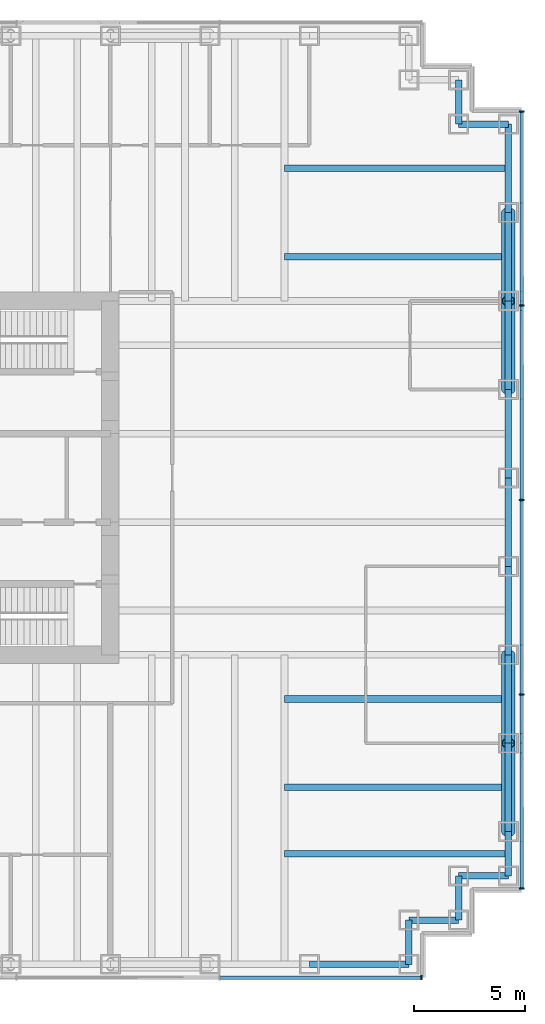
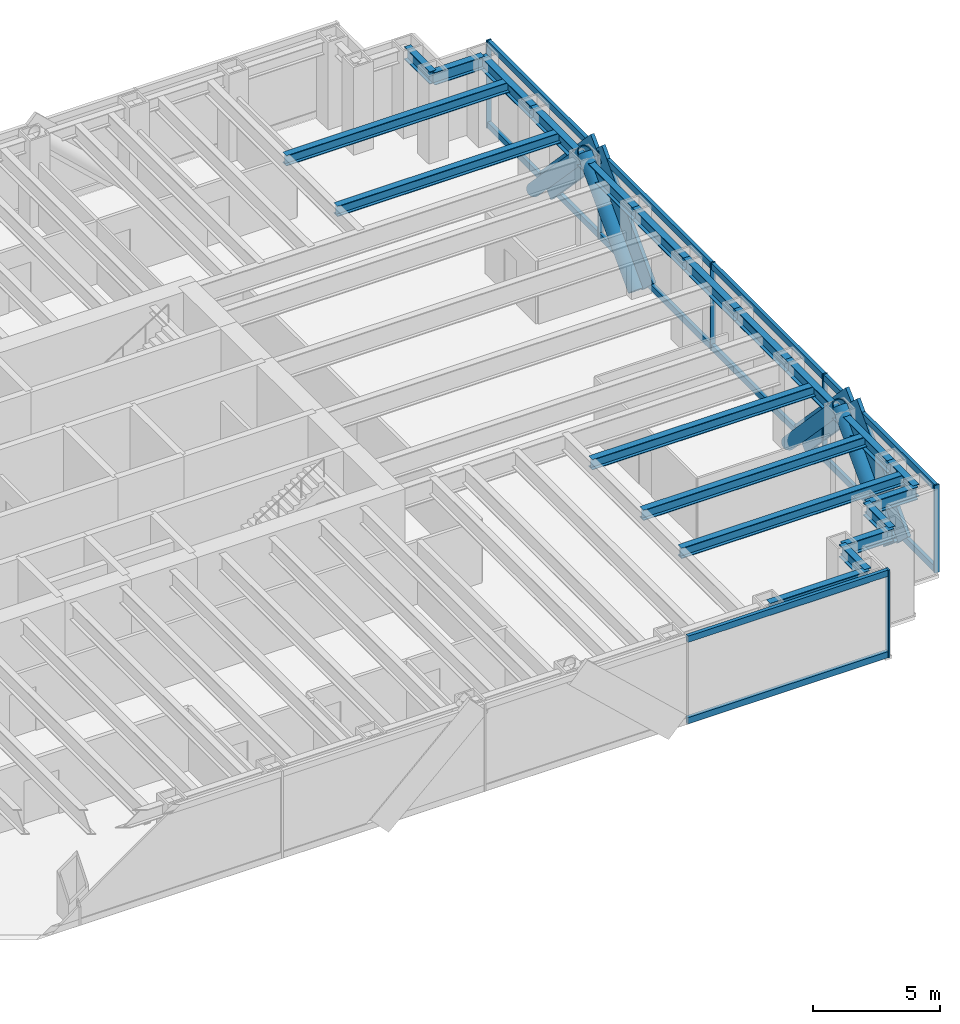
# One storey, part 7 of 17: 24 members, 21 beams, 2 elements without a shape of their own.
"""IFC4 building model written with IfcOpenShell, lengths in metres."""

from ifc_helpers import new_model, si_unit, direction, frame, origin, origin_2d, place, context, subcontext, project, spatial, rectangle, hollow_circle, i_section, extrude, material, material_profile, profile_set, type_object, element, aggregate, save


model = new_model("IFC4")

# Units and contexts
model_context = context("Model", 3, precision=1e-05, world=origin(), true_north=direction((0.0, 1.0)))
body_context = subcontext(model_context, "Body", "Model", "MODEL_VIEW")
ifc_project = project(units=[si_unit("LENGTHUNIT", "METRE"), si_unit("AREAUNIT", "SQUARE_METRE"), si_unit("VOLUMEUNIT", "CUBIC_METRE"), si_unit("PLANEANGLEUNIT", "RADIAN"), si_unit("MASSUNIT", "GRAM", prefix="KILO")], contexts=[model_context])

# Site, building, storey
site_placement = place(None, origin())
site = spatial("IfcSite", under=ifc_project, at=site_placement, CompositionType="ELEMENT")
building_placement = place(site_placement, origin())
building = spatial("IfcBuilding", under=site, at=building_placement, Name="Rheinbord Bourse Tower", CompositionType="ELEMENT")
storey_placement = place(building_placement, frame((0.0, 0.0, 223.60009765625)))
storey = spatial("IfcBuildingStorey", under=building, at=storey_placement, Name="L50", CompositionType="ELEMENT", Elevation=223.60009765625)

# Curtain wall, members
ifc_material_1 = material(Name="Dark glass and black aluminium", Category="aluminium")
curtain_wall_type = type_object("IfcCurtainWallType", Name="CW2 DARK GLASS CURTAIN WALL", PredefinedType="USERDEFINED", material=ifc_material_1)
curtain_wall_1_placement = place(storey_placement, origin())
curtain_wall_1 = element("IfcCurtainWall", 1, at=curtain_wall_1_placement, inside=storey, type_object=curtain_wall_type, Name="Curtain wall CW2 E L50", ObjectType="UNITISED CURTAIN WALL", PredefinedType="USERDEFINED")
ifc_material_2 = material(Name="Black anodised aluminium", Category="aluminium")
ifc_material_profile_1 = material_profile(ifc_material_2, rectangle(XDim=0.159912109375, YDim=1.2099609375, at=origin_2d()), Name="CW2 DIAGONAL MULLION 1210x160")
ifc_profile_set_1 = profile_set([ifc_material_profile_1], Name="Black anodised aluminium")
member_type_1 = type_object("IfcMemberType", Name="CW2 BLACK DIAGONAL MULLION", PredefinedType="USERDEFINED", material=ifc_profile_set_1)
member_1_placement = place(storey_placement, frame((72.60009765625, 16.0, 0.0), z_axis=(0.0, -0.689659376744, 0.724133926887), x_axis=(1.0, 0.0, 0.0)))
member_1 = element("IfcMember", 2, at=member_1_placement, type_object=member_type_1, Name="CW2 diagonal mullion a", ObjectType="DIAGONAL MULLION", PredefinedType="USERDEFINED", context=body_context, shape_type="SweptSolid", body=[
    extrude(rectangle(XDim=0.159912109375, YDim=1.2099609375, at=origin_2d()), origin(), (0.0, 0.0, 1.0), 5.800048828125),
])
member_2_placement = place(storey_placement, frame((72.60009765625, 28.0, 0.0), z_axis=(0.0, 0.689659376744, 0.724133926887), x_axis=(-1.0, 0.0, 0.0)))
member_2 = element("IfcMember", 3, at=member_2_placement, type_object=member_type_1, Name="CW2 diagonal mullion b", ObjectType="DIAGONAL MULLION", PredefinedType="USERDEFINED", context=body_context, shape_type="SweptSolid", body=[
    extrude(rectangle(XDim=0.159912109375, YDim=1.2099609375, at=origin_2d()), origin(), (0.0, 0.0, 1.0), 5.800048828125),
])
member_3_placement = place(storey_placement, frame((72.60009765625, 8.0, 0.0), z_axis=(0.0, 0.689659376744, 0.724133926887), x_axis=(-1.0, 0.0, 0.0)))
member_3 = element("IfcMember", 4, at=member_3_placement, type_object=member_type_1, Name="CW2 diagonal mullion c", ObjectType="DIAGONAL MULLION", PredefinedType="USERDEFINED", context=body_context, shape_type="SweptSolid", body=[
    extrude(rectangle(XDim=0.159912109375, YDim=1.2099609375, at=origin_2d()), origin(), (0.0, 0.0, 1.0), 5.800048828125),
])
member_4_placement = place(storey_placement, frame((72.60009765625, 36.0, 0.0), z_axis=(0.0, -0.689659376744, 0.724133926887), x_axis=(1.0, 0.0, 0.0)))
member_4 = element("IfcMember", 5, at=member_4_placement, type_object=member_type_1, Name="CW2 diagonal mullion d", ObjectType="DIAGONAL MULLION", PredefinedType="USERDEFINED", context=body_context, shape_type="SweptSolid", body=[
    extrude(rectangle(XDim=0.159912109375, YDim=1.2099609375, at=origin_2d()), origin(), (0.0, 0.0, 1.0), 5.800048828125),
])

# Curtain wall, member
curtain_wall_2_placement = place(storey_placement, origin())
curtain_wall_2 = element("IfcCurtainWall", 6, at=curtain_wall_2_placement, inside=storey, type_object=curtain_wall_type, Name="Curtain wall CW2 S L50", ObjectType="UNITISED CURTAIN WALL", PredefinedType="USERDEFINED")
ifc_material_3 = material(Name="Black anodised aluminium", Category="aluminium")
ifc_material_profile_2 = material_profile(ifc_material_3, rectangle(XDim=0.219970703125, YDim=0.070068359375, at=origin_2d()), Name="CW2 MULLION 70x220")
ifc_profile_set_2 = profile_set([ifc_material_profile_2], Name="Black anodised aluminium")
member_type_2 = type_object("IfcMemberType", Name="CW2 BLACK MULLION", PredefinedType="MULLION", material=ifc_profile_set_2)
member_5_placement = place(storey_placement, frame((68.06494140625, 1.39990234375, 0.0), z_axis=(0.0, 0.0, 1.0), x_axis=(0.0, 1.0, 0.0)))
member_5 = element("IfcMember", 7, at=member_5_placement, type_object=member_type_2, Name="CW2 mullion 8", PredefinedType="MULLION", context=body_context, shape_type="SweptSolid", body=[
    extrude(rectangle(XDim=0.219970703125, YDim=0.070068359375, at=origin_2d()), origin(), (0.0, 0.0, 1.0), 4.199951171875),
])

# Member
member_6_placement = place(storey_placement, frame((72.60009765625, 5.43505859375, 0.0), z_axis=(0.0, 0.0, 1.0), x_axis=(-1.0, 0.0, 0.0)))
member_6 = element("IfcMember", 8, at=member_6_placement, type_object=member_type_2, Name="CW2 mullion 1", PredefinedType="MULLION", context=body_context, shape_type="SweptSolid", body=[
    extrude(rectangle(XDim=0.219970703125, YDim=0.070068359375, at=origin_2d()), origin(), (0.0, 0.0, 1.0), 4.199951171875),
])

member_7_placement = place(storey_placement, frame((72.60009765625, 14.199951171875, 0.0), z_axis=(0.0, 0.0, 1.0), x_axis=(-1.0, 0.0, 0.0)))
member_7 = element("IfcMember", 9, at=member_7_placement, type_object=member_type_2, Name="CW2 mullion 2", PredefinedType="MULLION", context=body_context, shape_type="SweptSolid", body=[
    extrude(rectangle(XDim=0.219970703125, YDim=0.070068359375, at=origin_2d()), origin(), (0.0, 0.0, 1.0), 4.199951171875),
])

member_8_placement = place(storey_placement, frame((72.60009765625, 23.0, 0.0), z_axis=(0.0, 0.0, 1.0), x_axis=(-1.0, 0.0, 0.0)))
member_8 = element("IfcMember", 10, at=member_8_placement, type_object=member_type_2, Name="CW2 mullion 3", PredefinedType="MULLION", context=body_context, shape_type="SweptSolid", body=[
    extrude(rectangle(XDim=0.219970703125, YDim=0.070068359375, at=origin_2d()), origin(), (0.0, 0.0, 1.0), 4.199951171875),
])

member_9_placement = place(storey_placement, frame((72.60009765625, 31.800048828125, 0.0), z_axis=(0.0, 0.0, 1.0), x_axis=(-1.0, 0.0, 0.0)))
member_9 = element("IfcMember", 11, at=member_9_placement, type_object=member_type_2, Name="CW2 mullion 4", PredefinedType="MULLION", context=body_context, shape_type="SweptSolid", body=[
    extrude(rectangle(XDim=0.219970703125, YDim=0.070068359375, at=origin_2d()), origin(), (0.0, 0.0, 1.0), 4.199951171875),
])

member_10_placement = place(storey_placement, frame((72.60009765625, 40.56494140625, 0.0), z_axis=(0.0, 0.0, 1.0), x_axis=(-1.0, 0.0, 0.0)))
member_10 = element("IfcMember", 12, at=member_10_placement, type_object=member_type_2, Name="CW2 mullion 5", PredefinedType="MULLION", context=body_context, shape_type="SweptSolid", body=[
    extrude(rectangle(XDim=0.219970703125, YDim=0.070068359375, at=origin_2d()), origin(), (0.0, 0.0, 1.0), 4.199951171875),
])

ifc_material_4 = material(Name="Black anodised aluminium", Category="aluminium")
ifc_material_profile_3 = material_profile(ifc_material_4, rectangle(XDim=0.159912109375, YDim=0.300048828125, at=origin_2d()), Name="CW2 TRANSOM 300x160")
ifc_profile_set_3 = profile_set([ifc_material_profile_3], Name="Black anodised aluminium")
member_type_3 = type_object("IfcMemberType", Name="CW2 BLACK TRANSOM", PredefinedType="USERDEFINED", material=ifc_profile_set_3)
member_11_placement = place(storey_placement, frame((58.963623046875, 1.39990234375, 0.14990234375), z_axis=(1.0, 0.0, 0.0), x_axis=(0.0, 1.0, 0.0)))
member_11 = element("IfcMember", 13, at=member_11_placement, type_object=member_type_3, Name="CW2 transom 7.1", ObjectType="TRANSOM", PredefinedType="USERDEFINED", context=body_context, shape_type="SweptSolid", body=[
    extrude(rectangle(XDim=0.159912109375, YDim=0.300048828125, at=origin_2d()), origin(), (0.0, 0.0, 1.0), 9.06640625),
])

member_12_placement = place(storey_placement, frame((58.963623046875, 1.39990234375, 4.0498046875), z_axis=(1.0, 0.0, 0.0), x_axis=(0.0, 1.0, 0.0)))
member_12 = element("IfcMember", 14, at=member_12_placement, type_object=member_type_3, Name="CW2 transom 7.2", ObjectType="TRANSOM", PredefinedType="USERDEFINED", context=body_context, shape_type="SweptSolid", body=[
    extrude(rectangle(XDim=0.159912109375, YDim=0.300048828125, at=origin_2d()), origin(), (0.0, 0.0, 1.0), 9.06640625),
])

aggregate(curtain_wall_2, [member_5, member_11, member_12])

member_13_placement = place(storey_placement, frame((72.60009765625, 5.469970703125, 0.14990234375), z_axis=(0.0, 1.0, 0.0), x_axis=(-1.0, 0.0, 0.0)))
member_13 = element("IfcMember", 15, at=member_13_placement, type_object=member_type_3, Name="CW2 transom 1.1", ObjectType="TRANSOM", PredefinedType="USERDEFINED", context=body_context, shape_type="SweptSolid", body=[
    extrude(rectangle(XDim=0.159912109375, YDim=0.300048828125, at=origin_2d()), origin(), (0.0, 0.0, 1.0), 8.695068359375),
])

member_14_placement = place(storey_placement, frame((72.60009765625, 5.469970703125, 4.0498046875), z_axis=(0.0, 1.0, 0.0), x_axis=(-1.0, 0.0, 0.0)))
member_14 = element("IfcMember", 16, at=member_14_placement, type_object=member_type_3, Name="CW2 transom 1.2", ObjectType="TRANSOM", PredefinedType="USERDEFINED", context=body_context, shape_type="SweptSolid", body=[
    extrude(rectangle(XDim=0.159912109375, YDim=0.300048828125, at=origin_2d()), origin(), (0.0, 0.0, 1.0), 8.695068359375),
])

member_15_placement = place(storey_placement, frame((72.60009765625, 14.235107421875, 0.14990234375), z_axis=(0.0, 1.0, 0.0), x_axis=(-1.0, 0.0, 0.0)))
member_15 = element("IfcMember", 17, at=member_15_placement, type_object=member_type_3, Name="CW2 transom 2.1", ObjectType="TRANSOM", PredefinedType="USERDEFINED", context=body_context, shape_type="SweptSolid", body=[
    extrude(rectangle(XDim=0.159912109375, YDim=0.300048828125, at=origin_2d()), origin(), (0.0, 0.0, 1.0), 8.72998046875),
])

member_16_placement = place(storey_placement, frame((72.60009765625, 14.235107421875, 4.0498046875), z_axis=(0.0, 1.0, 0.0), x_axis=(-1.0, 0.0, 0.0)))
member_16 = element("IfcMember", 18, at=member_16_placement, type_object=member_type_3, Name="CW2 transom 2.2", ObjectType="TRANSOM", PredefinedType="USERDEFINED", context=body_context, shape_type="SweptSolid", body=[
    extrude(rectangle(XDim=0.159912109375, YDim=0.300048828125, at=origin_2d()), origin(), (0.0, 0.0, 1.0), 8.72998046875),
])

member_17_placement = place(storey_placement, frame((72.60009765625, 23.034912109375, 0.14990234375), z_axis=(0.0, 1.0, 0.0), x_axis=(-1.0, 0.0, 0.0)))
member_17 = element("IfcMember", 19, at=member_17_placement, type_object=member_type_3, Name="CW2 transom 3.1", ObjectType="TRANSOM", PredefinedType="USERDEFINED", context=body_context, shape_type="SweptSolid", body=[
    extrude(rectangle(XDim=0.159912109375, YDim=0.300048828125, at=origin_2d()), origin(), (0.0, 0.0, 1.0), 8.72998046875),
])

member_18_placement = place(storey_placement, frame((72.60009765625, 23.034912109375, 4.0498046875), z_axis=(0.0, 1.0, 0.0), x_axis=(-1.0, 0.0, 0.0)))
member_18 = element("IfcMember", 20, at=member_18_placement, type_object=member_type_3, Name="CW2 transom 3.2", ObjectType="TRANSOM", PredefinedType="USERDEFINED", context=body_context, shape_type="SweptSolid", body=[
    extrude(rectangle(XDim=0.159912109375, YDim=0.300048828125, at=origin_2d()), origin(), (0.0, 0.0, 1.0), 8.72998046875),
])

member_19_placement = place(storey_placement, frame((72.60009765625, 31.8349609375, 0.14990234375), z_axis=(0.0, 1.0, 0.0), x_axis=(-1.0, 0.0, 0.0)))
member_19 = element("IfcMember", 21, at=member_19_placement, type_object=member_type_3, Name="CW2 transom 4.1", ObjectType="TRANSOM", PredefinedType="USERDEFINED", context=body_context, shape_type="SweptSolid", body=[
    extrude(rectangle(XDim=0.159912109375, YDim=0.300048828125, at=origin_2d()), origin(), (0.0, 0.0, 1.0), 8.695068359375),
])

member_20_placement = place(storey_placement, frame((72.60009765625, 31.8349609375, 4.0498046875), z_axis=(0.0, 1.0, 0.0), x_axis=(-1.0, 0.0, 0.0)))
member_20 = element("IfcMember", 22, at=member_20_placement, type_object=member_type_3, Name="CW2 transom 4.2", ObjectType="TRANSOM", PredefinedType="USERDEFINED", context=body_context, shape_type="SweptSolid", body=[
    extrude(rectangle(XDim=0.159912109375, YDim=0.300048828125, at=origin_2d()), origin(), (0.0, 0.0, 1.0), 8.695068359375),
])

aggregate(curtain_wall_1, [member_6, member_7, member_8, member_9, member_10, member_13, member_14, member_15, member_16, member_17, member_18, member_19, member_20, member_1, member_2, member_3, member_4])

# Members
ifc_material_5 = material(Name="Steel S460", Category="steel")
ifc_material_profile_4 = material_profile(ifc_material_5, hollow_circle(Radius=0.304931640625, WallThickness=0.0400390625, at=origin_2d()), Name="CHS 610x40")
ifc_profile_set_4 = profile_set([ifc_material_profile_4], Name="Steel S460")
member_type_4 = type_object("IfcMemberType", Name="MEGABRACE CHS 610x40", PredefinedType="BRACE", material=ifc_profile_set_4)
for number, where, z_axis, x_axis, name in (
    (23, (72.0, 16.0, 0.0), (0.0, -0.689659376744, 0.724133926887), (1.0, 0.0, 0.0), "Megabrace E face line a L50"),
    (24, (72.0, 28.0, 0.0), (0.0, 0.689659376744, 0.724133926887), (-1.0, 0.0, 0.0), "Megabrace E face line b L50"),
    (25, (72.0, 8.0, 0.0), (0.0, 0.689659376744, 0.724133926887), (-1.0, 0.0, 0.0), "Megabrace E face line c L50"),
    (26, (72.0, 36.0, 0.0), (0.0, -0.689659376744, 0.724133926887), (1.0, 0.0, 0.0), "Megabrace E face line d L50"),
):
    element("IfcMember", number, at=place(storey_placement, frame(where, z_axis=z_axis, x_axis=x_axis)), inside=storey, type_object=member_type_4, Name=name, PredefinedType="BRACE", context=body_context, shape_type="SweptSolid", body=[
        extrude(hollow_circle(Radius=0.304931640625, WallThickness=0.0400390625, at=origin_2d()), origin(), (0.0, 0.0, 1.0), 5.800048828125),
    ])

# Beams
ifc_material_6 = material(Name="Steel S460", Category="steel")
ifc_material_profile_5 = material_profile(ifc_material_6, i_section(OverallWidth=0.300048828125, OverallDepth=0.60009765625, WebThickness=0.015380859375, FlangeThickness=0.030029296875, at=origin_2d()), Name="HEB 600")
ifc_profile_set_5 = profile_set([ifc_material_profile_5], Name="Steel S460")
beam_type_1 = type_object("IfcBeamType", Name="SPANDREL HEB 600", PredefinedType="SPANDREL", material=ifc_profile_set_5)
beam_1_placement = place(storey_placement, frame((63.0, 2.0, 3.739990234375), z_axis=(1.0, 0.0, 0.0), x_axis=(0.0, 1.0, 0.0)))
element("IfcBeam", 27, at=beam_1_placement, inside=storey, type_object=beam_type_1, Name="Spandrel S-63-SE-E under L51", PredefinedType="SPANDREL", context=body_context, shape_type="SweptSolid", body=[
    extrude(i_section(OverallWidth=0.300048828125, OverallDepth=0.60009765625, WebThickness=0.015380859375, FlangeThickness=0.030029296875, at=origin_2d()), origin(), (0.0, 0.0, 1.0), 4.5),
])
beam_2_placement = place(storey_placement, frame((67.5, 2.0, 3.739990234375), z_axis=(0.0, 1.0, 0.0), x_axis=(-1.0, 0.0, 0.0)))
element("IfcBeam", 28, at=beam_2_placement, inside=storey, type_object=beam_type_1, Name="Spandrel SE-E-SE-D under L51", PredefinedType="SPANDREL", context=body_context, shape_type="SweptSolid", body=[
    extrude(i_section(OverallWidth=0.300048828125, OverallDepth=0.60009765625, WebThickness=0.015380859375, FlangeThickness=0.030029296875, at=origin_2d()), origin(), (0.0, 0.0, 1.0), 2.0),
])
beam_3_placement = place(storey_placement, frame((67.5, 4.0, 3.739990234375), z_axis=(1.0, 0.0, 0.0), x_axis=(0.0, 1.0, 0.0)))
element("IfcBeam", 29, at=beam_3_placement, inside=storey, type_object=beam_type_1, Name="Spandrel SE-D-SE-C under L51", PredefinedType="SPANDREL", context=body_context, shape_type="SweptSolid", body=[
    extrude(i_section(OverallWidth=0.300048828125, OverallDepth=0.60009765625, WebThickness=0.015380859375, FlangeThickness=0.030029296875, at=origin_2d()), origin(), (0.0, 0.0, 1.0), 2.25),
])
beam_4_placement = place(storey_placement, frame((69.75, 4.0, 3.739990234375), z_axis=(0.0, 1.0, 0.0), x_axis=(-1.0, 0.0, 0.0)))
element("IfcBeam", 30, at=beam_4_placement, inside=storey, type_object=beam_type_1, Name="Spandrel SE-C-SE-B under L51", PredefinedType="SPANDREL", context=body_context, shape_type="SweptSolid", body=[
    extrude(i_section(OverallWidth=0.300048828125, OverallDepth=0.60009765625, WebThickness=0.015380859375, FlangeThickness=0.030029296875, at=origin_2d()), origin(), (0.0, 0.0, 1.0), 2.0),
])
beam_5_placement = place(storey_placement, frame((69.75, 6.0, 3.739990234375), z_axis=(1.0, 0.0, 0.0), x_axis=(0.0, 1.0, 0.0)))
element("IfcBeam", 31, at=beam_5_placement, inside=storey, type_object=beam_type_1, Name="Spandrel SE-B-SE-A under L51", PredefinedType="SPANDREL", context=body_context, shape_type="SweptSolid", body=[
    extrude(i_section(OverallWidth=0.300048828125, OverallDepth=0.60009765625, WebThickness=0.015380859375, FlangeThickness=0.030029296875, at=origin_2d()), origin(), (0.0, 0.0, 1.0), 2.25),
])
beam_6_placement = place(storey_placement, frame((72.0, 6.0, 3.739990234375), z_axis=(0.0, 1.0, 0.0), x_axis=(-1.0, 0.0, 0.0)))
element("IfcBeam", 32, at=beam_6_placement, inside=storey, type_object=beam_type_1, Name="Spandrel SE-A-E-8 under L51", PredefinedType="SPANDREL", context=body_context, shape_type="SweptSolid", body=[
    extrude(i_section(OverallWidth=0.300048828125, OverallDepth=0.60009765625, WebThickness=0.015380859375, FlangeThickness=0.030029296875, at=origin_2d()), origin(), (0.0, 0.0, 1.0), 2.0),
])
for number, where, z_axis, x_axis, name in (
    (33, (72.0, 8.0, 3.739990234375), (0.0, 1.0, 0.0), (-1.0, 0.0, 0.0), "Spandrel E-8-E-12 under L51"),
    (34, (72.0, 12.0, 3.739990234375), (0.0, 1.0, 0.0), (-1.0, 0.0, 0.0), "Spandrel E-12-E-16 under L51"),
    (35, (72.0, 16.0, 3.739990234375), (0.0, 1.0, 0.0), (-1.0, 0.0, 0.0), "Spandrel E-16-E-20 under L51"),
    (36, (72.0, 20.0, 3.739990234375), (0.0, 1.0, 0.0), (-1.0, 0.0, 0.0), "Spandrel E-20-E-24 under L51"),
    (37, (72.0, 24.0, 3.739990234375), (0.0, 1.0, 0.0), (-1.0, 0.0, 0.0), "Spandrel E-24-E-28 under L51"),
    (38, (72.0, 28.0, 3.739990234375), (0.0, 1.0, 0.0), (-1.0, 0.0, 0.0), "Spandrel E-28-E-32 under L51"),
    (39, (72.0, 32.0, 3.739990234375), (0.0, 1.0, 0.0), (-1.0, 0.0, 0.0), "Spandrel E-32-E-36 under L51"),
    (40, (72.0, 36.0, 3.739990234375), (0.0, 1.0, 0.0), (-1.0, 0.0, 0.0), "Spandrel E-36-NE-A under L51"),
):
    element("IfcBeam", number, at=place(storey_placement, frame(where, z_axis=z_axis, x_axis=x_axis)), inside=storey, type_object=beam_type_1, Name=name, PredefinedType="SPANDREL", context=body_context, shape_type="SweptSolid", body=[
        extrude(i_section(OverallWidth=0.300048828125, OverallDepth=0.60009765625, WebThickness=0.015380859375, FlangeThickness=0.030029296875, at=origin_2d()), origin(), (0.0, 0.0, 1.0), 4.0),
    ])
beam_7_placement = place(storey_placement, frame((72.0, 40.0, 3.739990234375), z_axis=(-1.0, 0.0, 0.0), x_axis=(0.0, -1.0, 0.0)))
element("IfcBeam", 41, at=beam_7_placement, inside=storey, type_object=beam_type_1, Name="Spandrel NE-A-NE-B under L51", PredefinedType="SPANDREL", context=body_context, shape_type="SweptSolid", body=[
    extrude(i_section(OverallWidth=0.300048828125, OverallDepth=0.60009765625, WebThickness=0.015380859375, FlangeThickness=0.030029296875, at=origin_2d()), origin(), (0.0, 0.0, 1.0), 2.25),
])
beam_8_placement = place(storey_placement, frame((69.75, 40.0, 3.739990234375), z_axis=(0.0, 1.0, 0.0), x_axis=(-1.0, 0.0, 0.0)))
element("IfcBeam", 42, at=beam_8_placement, inside=storey, type_object=beam_type_1, Name="Spandrel NE-B-NE-C under L51", PredefinedType="SPANDREL", context=body_context, shape_type="SweptSolid", body=[
    extrude(i_section(OverallWidth=0.300048828125, OverallDepth=0.60009765625, WebThickness=0.015380859375, FlangeThickness=0.030029296875, at=origin_2d()), origin(), (0.0, 0.0, 1.0), 2.0),
])
ifc_material_7 = material(Name="Steel S460", Category="steel")
ifc_material_profile_6 = material_profile(ifc_material_7, i_section(OverallWidth=0.300048828125, OverallDepth=0.5, WebThickness=0.014404296875, FlangeThickness=0.028076171875, at=origin_2d()), Name="HEB 500")
ifc_profile_set_6 = profile_set([ifc_material_profile_6], Name="Steel S460")
beam_type_2 = type_object("IfcBeamType", Name="TIE BEAM HEB 500", PredefinedType="JOIST", material=ifc_profile_set_6)
for number, where, z_axis, x_axis, name in (
    (43, (61.875, 7.0, 3.789794921875), (1.0, 0.0, 0.0), (0.0, 1.0, 0.0), "Tie east 7 L51"),
    (44, (61.875, 10.0, 3.789794921875), (1.0, 0.0, 0.0), (0.0, 1.0, 0.0), "Tie east 10 L51"),
    (45, (61.875, 14.0, 3.789794921875), (1.0, 0.0, 0.0), (0.0, 1.0, 0.0), "Tie east 14 L51"),
    (46, (61.875, 34.0, 3.789794921875), (1.0, 0.0, 0.0), (0.0, 1.0, 0.0), "Tie east 34 L51"),
    (47, (61.875, 38.0, 3.789794921875), (1.0, 0.0, 0.0), (0.0, 1.0, 0.0), "Tie east 38 L51"),
):
    element("IfcBeam", number, at=place(storey_placement, frame(where, z_axis=z_axis, x_axis=x_axis)), inside=storey, type_object=beam_type_2, Name=name, PredefinedType="JOIST", context=body_context, shape_type="SweptSolid", body=[
        extrude(i_section(OverallWidth=0.300048828125, OverallDepth=0.5, WebThickness=0.014404296875, FlangeThickness=0.028076171875, at=origin_2d()), origin(), (0.0, 0.0, 1.0), 10.125),
    ])

save(model, "model.ifc")
